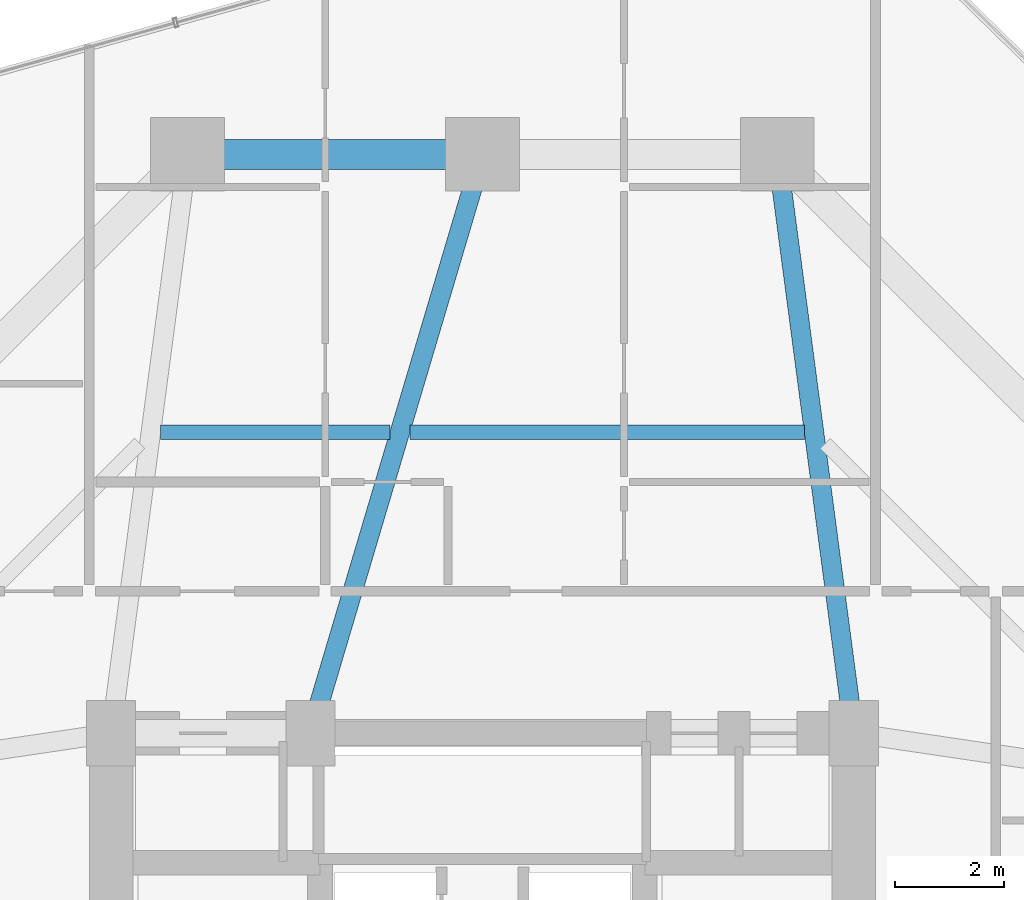
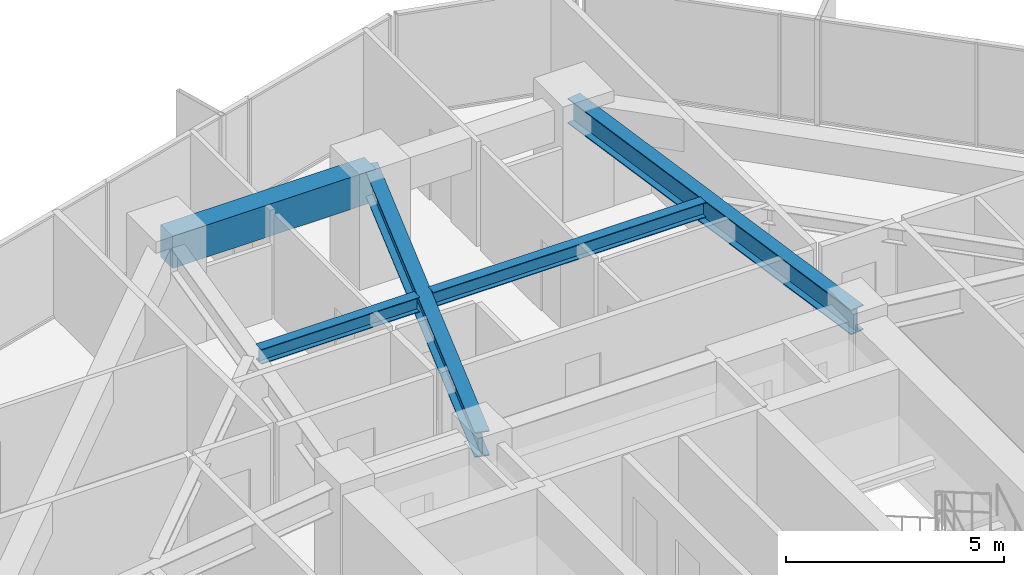
# One storey, part 25 of 39: 5 beams.
"""IFC4 building model written with IfcOpenShell, lengths in metres."""

from ifc_helpers import new_model, si_unit, direction, frame, origin, origin_2d, place, context, subcontext, project, spatial, rectangle, i_section, extrude, material, material_profile, profile_set, type_object, element, save


model = new_model("IFC4")

# Units and contexts
model_context = context("Model", 3, precision=1e-05, world=origin(), true_north=direction((0.0, 1.0)))
body_context = subcontext(model_context, "Body", "Model", "MODEL_VIEW")
ifc_project = project(units=[si_unit("LENGTHUNIT", "METRE"), si_unit("AREAUNIT", "SQUARE_METRE"), si_unit("VOLUMEUNIT", "CUBIC_METRE"), si_unit("PLANEANGLEUNIT", "RADIAN"), si_unit("MASSUNIT", "GRAM", prefix="KILO")], contexts=[model_context])

# Site, building, storey
site_placement = place(None, origin())
site = spatial("IfcSite", under=ifc_project, at=site_placement, CompositionType="ELEMENT")
building_placement = place(site_placement, origin())
building = spatial("IfcBuilding", under=site, at=building_placement, Name="Veraguas Prism Commons", CompositionType="ELEMENT")
storey_placement = place(building_placement, frame((0.0, 0.0, 77.10009765625)))
storey = spatial("IfcBuildingStorey", under=building, at=storey_placement, Name="L21", CompositionType="ELEMENT", Elevation=77.10009765625)

# Beams
ifc_material_1 = material(Name="Steel ASTM A992 Grade 50", Category="steel")
ifc_material_profile_1 = material_profile(ifc_material_1, i_section(OverallWidth=0.260986328125, OverallDepth=0.419921875, WebThickness=0.01171875, FlangeThickness=0.019287109375, at=origin_2d()), Name="W410X114")
ifc_profile_set_1 = profile_set([ifc_material_profile_1], Name="Steel ASTM A992 Grade 50")
beam_type_1 = type_object("IfcBeamType", Name="Lower Floor Joist W410x114", PredefinedType="JOIST", material=ifc_profile_set_1)
beam_1_placement = place(storey_placement, frame((29.89453125, 36.511962890625, 2.719970703125), z_axis=(-1.0, 0.0, 0.0), x_axis=(0.0, -1.0, 0.0)))
element("IfcBeam", 1, at=beam_1_placement, inside=storey, type_object=beam_type_1, Name="Composite Floor Joist L21-JS04", PredefinedType="JOIST", context=body_context, shape_type="SweptSolid", body=[
    extrude(i_section(OverallWidth=0.260986328125, OverallDepth=0.419921875, WebThickness=0.01171875, FlangeThickness=0.019287109375, at=origin_2d()), origin(), (0.0, 0.0, 1.0), 7.222900390625),
])
beam_2_placement = place(storey_placement, frame((22.304443359375, 36.511962890625, 2.719970703125), z_axis=(-1.0, 0.0, 0.0), x_axis=(0.0, -1.0, 0.0)))
element("IfcBeam", 2, at=beam_2_placement, inside=storey, type_object=beam_type_1, Name="Composite Floor Joist L21-JS05", PredefinedType="JOIST", context=body_context, shape_type="SweptSolid", body=[
    extrude(i_section(OverallWidth=0.260986328125, OverallDepth=0.419921875, WebThickness=0.01171875, FlangeThickness=0.019287109375, at=origin_2d()), origin(), (0.0, 0.0, 1.0), 4.198974609375),
])
ifc_material_2 = material(Name="Concrete C50/60", Category="concrete")
ifc_material_profile_2 = material_profile(ifc_material_2, rectangle(XDim=0.550048828125, YDim=0.89990234375, at=origin_2d()), Name="RC550X900")
ifc_profile_set_2 = profile_set([ifc_material_profile_2], Name="Concrete C50/60")
beam_type_2 = type_object("IfcBeamType", Name="Perimeter Spandrel Lower RC 550x900", PredefinedType="SPANDREL", material=ifc_profile_set_2)
beam_3_placement = place(storey_placement, frame((24.0, 41.60009765625, 2.47998046875), z_axis=(-1.0, 0.0, 0.0), x_axis=(0.0, -1.0, 0.0)))
element("IfcBeam", 3, at=beam_3_placement, inside=storey, type_object=beam_type_2, Name="Perimeter Spandrel Beam L21-SP05", PredefinedType="SPANDREL", context=body_context, shape_type="SweptSolid", body=[
    extrude(rectangle(XDim=0.550048828125, YDim=0.89990234375, at=origin_2d()), origin(), (0.0, 0.0, 1.0), 5.39990234375),
])
ifc_material_profile_3 = material_profile(ifc_material_1, i_section(OverallWidth=0.35595703125, OverallDepth=0.700927734375, WebThickness=0.016845703125, FlangeThickness=0.02734375, at=origin_2d()), Name="W690X240")
ifc_profile_set_3 = profile_set([ifc_material_profile_3], Name="Steel ASTM A992 Grade 50")
beam_type_3 = type_object("IfcBeamType", Name="Zone 1 Radial Girder W690x240", PredefinedType="BEAM", material=ifc_profile_set_3)
beam_4_placement = place(storey_placement, frame((29.39990234375, 41.60009765625, 2.579345703125), z_axis=(0.130950648891, -0.991388888154, 0.0), x_axis=(0.991388888154, 0.130950648891, 0.0)))
element("IfcBeam", 4, at=beam_4_placement, inside=storey, type_object=beam_type_3, Name="Radial Floor Girder L21-RD04", PredefinedType="BEAM", context=body_context, shape_type="SweptSolid", body=[
    extrude(i_section(OverallWidth=0.35595703125, OverallDepth=0.700927734375, WebThickness=0.016845703125, FlangeThickness=0.02734375, at=origin_2d()), origin(), (0.0, 0.0, 1.0), 10.692138671875),
])
beam_5_placement = place(storey_placement, frame((24.0, 41.60009765625, 2.579345703125), z_axis=(-0.28484745997, -0.958572858237, 0.0), x_axis=(0.958572858237, -0.28484745997, 0.0)))
element("IfcBeam", 5, at=beam_5_placement, inside=storey, type_object=beam_type_3, Name="Radial Floor Girder L21-RD05", PredefinedType="BEAM", context=body_context, shape_type="SweptSolid", body=[
    extrude(i_section(OverallWidth=0.35595703125, OverallDepth=0.700927734375, WebThickness=0.016845703125, FlangeThickness=0.02734375, at=origin_2d()), origin(), (0.0, 0.0, 1.0), 11.05810546875),
])

save(model, "model.ifc")
